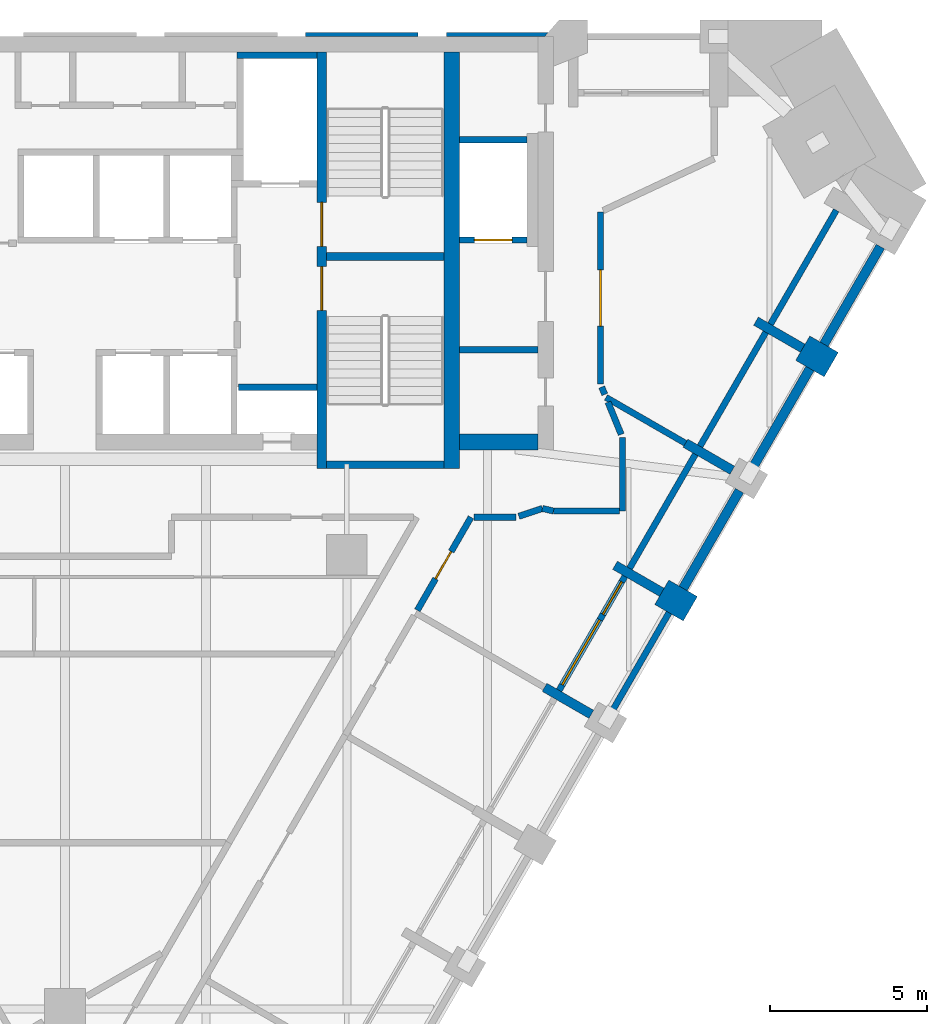
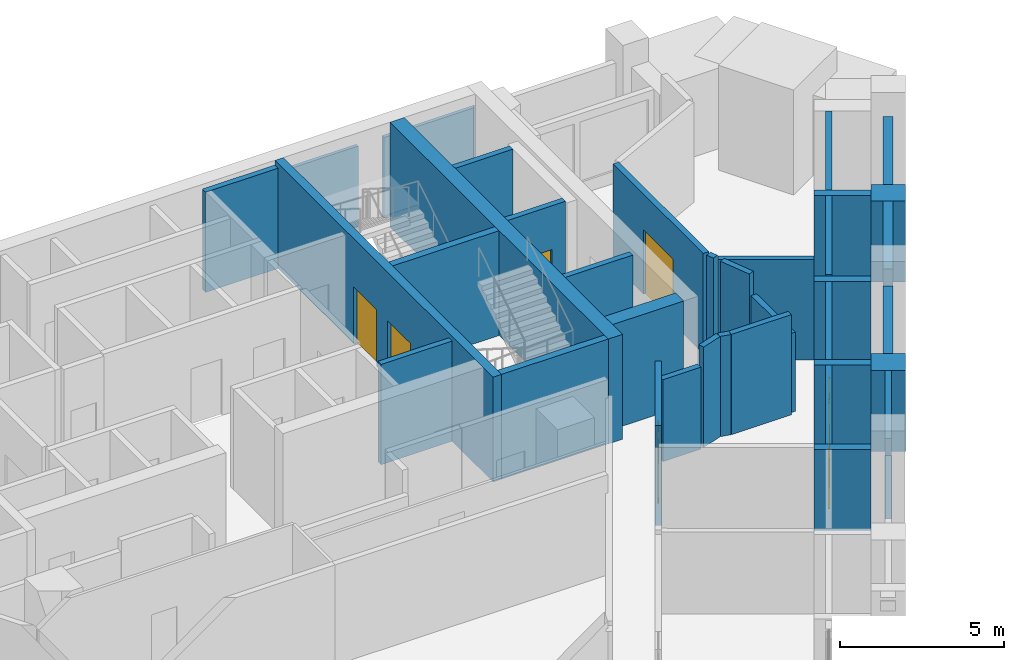
# One storey, part 7 of 10: 36 walls, 6 doors, 1 window, 7 openings.
"""IFC4 building model written with IfcOpenShell, lengths in metres."""

from ifc_helpers import new_model, si_unit, direction, frame, frame_2d, origin, place, context, subcontext, project, spatial, polyline, rectangle, outline, extrude, material, layer, layer_set, type_object, element, fill, save


model = new_model("IFC4")

# Units and contexts
model_context = context("Model", 3, precision=1e-05, world=origin(), true_north=direction((0.0, 1.0)))
body_context = subcontext(model_context, "Body", "Model", "MODEL_VIEW")
ifc_project = project(units=[si_unit("LENGTHUNIT", "METRE"), si_unit("AREAUNIT", "SQUARE_METRE"), si_unit("VOLUMEUNIT", "CUBIC_METRE"), si_unit("PLANEANGLEUNIT", "RADIAN"), si_unit("MASSUNIT", "GRAM", prefix="KILO")], contexts=[model_context])

# Site, building, storey
site_placement = place(None, origin())
site = spatial("IfcSite", under=ifc_project, at=site_placement, CompositionType="ELEMENT")
building_placement = place(site_placement, origin())
building = spatial("IfcBuilding", under=site, at=building_placement, Name="Calabash Gate Tower", CompositionType="ELEMENT")
storey_placement = place(building_placement, frame((0.0, 0.0, 175.800048828125)))
storey = spatial("IfcBuildingStorey", under=building, at=storey_placement, Name="L41", CompositionType="ELEMENT", Elevation=175.800048828125)

# Walls
ifc_material_1 = material(Name="Terracotta brick masonry, exposed face", Category="masonry")
ifc_layer_1 = layer(ifc_material_1, 1.050048828125)
ifc_layer_set_1 = layer_set([ifc_layer_1], Name="Brick end wall 1050")
wall_type_1 = type_object("IfcWallType", Name="Brick end wall 1050", PredefinedType="SOLIDWALL", material=ifc_layer_set_1)
wall_1_placement = place(storey_placement, frame((19.058349609375, 1.30419921875, 0.0), z_axis=(0.0, 0.0, 1.0), x_axis=(0.866030680601, -0.499990860175, 0.0)))
element("IfcWall", 1, at=wall_1_placement, inside=storey, type_object=wall_type_1, Name="Brick pier S11 SE4.5", PredefinedType="SOLIDWALL", context=body_context, shape_type="SweptSolid", body=[
    extrude(rectangle(XDim=1.0498046875, YDim=0.89990234375, at=frame_2d((0.52490234375, 0.0))), origin(), (0.0, 0.0, 1.0), 3.0),
])
wall_2_placement = place(storey_placement, frame((24.467529296875, 8.573486328125, 0.0), z_axis=(0.0, 0.0, 1.0), x_axis=(-0.86592997719, 0.500165247297, 0.0)))
element("IfcWall", 2, at=wall_2_placement, inside=storey, type_object=wall_type_1, Name="Brick pier S11 SE4.7", PredefinedType="SOLIDWALL", context=body_context, shape_type="SweptSolid", body=[
    extrude(rectangle(XDim=1.050048828125, YDim=0.89990234375, at=frame_2d((0.52490234375, 0.0))), origin(), (0.0, 0.0, 1.0), 3.0),
])
ifc_material_2 = material(Name="Terracotta brick masonry, exposed face", Category="masonry")
ifc_layer_2 = layer(ifc_material_2, 0.300048828125)
ifc_layer_set_2 = layer_set([ifc_layer_2], Name="Brick infill panel wall 300")
wall_type_2 = type_object("IfcWallType", Name="Brick infill panel wall 300", PredefinedType="SOLIDWALL", material=ifc_layer_set_2)
wall_3_placement = place(storey_placement, frame((19.738037109375, 1.431396484375, 0.0), z_axis=(0.0, 0.0, 1.0), x_axis=(0.499982693035, 0.866035395735, 0.0)))
element("IfcWall", 3, at=wall_3_placement, inside=storey, type_object=wall_type_2, Name="Brick panel S11 SE4.6", PredefinedType="SOLIDWALL", context=body_context, shape_type="SweptSolid", body=[
    extrude(rectangle(XDim=3.600341796875, YDim=0.300048828125, at=frame_2d((1.80029296875, 0.0))), origin(), (0.0, 0.0, 1.0), 3.0),
])
for number, where, z_axis, x_axis, name in (
    (4, (21.988037109375, 5.32861328125, 0.0), (0.0, 0.0, 1.0), (0.500012057535, 0.866018442252, 0.0), "Brick panel S11 SE4.7"),
    (5, (24.238037109375, 9.225830078125, 0.0), (0.0, 0.0, 1.0), (0.500012057535, 0.866018442252, 0.0), "Brick panel S11 SE4.8"),
):
    element("IfcWall", number, at=place(storey_placement, frame(where, z_axis=z_axis, x_axis=x_axis)), inside=storey, type_object=wall_type_2, Name=name, PredefinedType="SOLIDWALL", context=body_context, shape_type="SweptSolid", body=[
        extrude(rectangle(XDim=3.60009765625, YDim=0.300048828125, at=frame_2d((1.800048828125, 0.0))), origin(), (0.0, 0.0, 1.0), 3.0),
    ])
ifc_material_3 = material(Name="Terracotta brick masonry, exposed face", Category="masonry")
ifc_layer_3 = layer(ifc_material_3, 0.300048828125)
ifc_layer_set_3 = layer_set([ifc_layer_3], Name="Brick loggia cheek wall 300")
wall_type_3 = type_object("IfcWallType", Name="Brick loggia cheek wall 300", PredefinedType="SOLIDWALL", material=ifc_layer_set_3)
wall_4_placement = place(storey_placement, frame((16.807373046875, -2.59228515625, 0.0), z_axis=(0.0, 0.0, 1.0), x_axis=(-0.865994550583, 0.500053435504, 0.0)))
element("IfcWall", 6, at=wall_4_placement, inside=storey, type_object=wall_type_3, Name="Loggia cheek S11 SE4.4", PredefinedType="SOLIDWALL", context=body_context, shape_type="SweptSolid", body=[
    extrude(rectangle(XDim=1.723876953125, YDim=0.300048828125, at=frame_2d((0.86181640625, 0.0))), origin(), (0.0, 0.0, 1.0), 3.0),
])
wall_5_placement = place(storey_placement, frame((19.058349609375, 1.30419921875, 0.0), z_axis=(0.0, 0.0, 1.0), x_axis=(-0.866013532718, 0.500020560727, 0.0)))
element("IfcWall", 7, at=wall_5_placement, inside=storey, type_object=wall_type_3, Name="Loggia cheek S11 SE4.5", PredefinedType="SOLIDWALL", context=body_context, shape_type="SweptSolid", body=[
    extrude(rectangle(XDim=1.72509765625, YDim=0.300048828125, at=frame_2d((0.862548828125, 0.0))), origin(), (0.0, 0.0, 1.0), 3.0),
])
wall_6_placement = place(storey_placement, frame((19.814453125, 6.06396484375, 0.0), z_axis=(0.0, 0.0, 1.0), x_axis=(0.866013532718, -0.500020560727, 0.0)))
element("IfcWall", 8, at=wall_6_placement, inside=storey, type_object=wall_type_3, Name="Loggia cheek S11 SE4.6", PredefinedType="SOLIDWALL", context=body_context, shape_type="SweptSolid", body=[
    extrude(rectangle(XDim=1.72509765625, YDim=0.300048828125, at=frame_2d((0.862548828125, 0.0))), origin(), (0.0, 0.0, 1.0), 2.949951171875),
])
wall_7_placement = place(storey_placement, frame((23.558349609375, 9.0986328125, 0.0), z_axis=(0.0, 0.0, 1.0), x_axis=(-0.866074815912, 0.499914405916, 0.0)))
element("IfcWall", 9, at=wall_7_placement, inside=storey, type_object=wall_type_3, Name="Loggia cheek S11 SE4.7", PredefinedType="SOLIDWALL", context=body_context, shape_type="SweptSolid", body=[
    extrude(rectangle(XDim=1.724853515625, YDim=0.300048828125, at=frame_2d((0.8623046875, 0.0))), origin(), (0.0, 0.0, 1.0), 3.0),
])
ifc_material_4 = material(Name="Gypsum board on steel studs, mineral wool", Category="steel")
ifc_layer_4 = layer(ifc_material_4, 0.199951171875)
ifc_layer_set_4 = layer_set([ifc_layer_4], Name="Core partition 200 gypsum board")
wall_type_4 = type_object("IfcWallType", Name="Core partition 200 gypsum board", PredefinedType="PARTITIONING", material=ifc_layer_set_4)
wall_8_placement = place(storey_placement, frame((12.60009765625, 9.052490234375, 0.0), z_axis=(0.0, 0.0, 1.0), x_axis=(1.0, 0.0, 0.0)))
element("IfcWall", 10, at=wall_8_placement, inside=storey, type_object=wall_type_4, Name="Core partition", PredefinedType="PARTITIONING", context=body_context, shape_type="SweptSolid", body=[
    extrude(rectangle(XDim=2.5, YDim=0.199951171875, at=frame_2d((1.25, 0.0))), origin(), (0.0, 0.0, 1.0), 3.72998046875),
])
ifc_material_5 = material(Name="Concrete C70/85", Category="concrete")
ifc_layer_5 = layer(ifc_material_5, 0.25)
ifc_layer_set_5 = layer_set([ifc_layer_5], Name="Core wall 250 Concrete C70/85")
wall_type_5 = type_object("IfcWallType", Name="Core wall 250 Concrete C70/85", PredefinedType="SHEAR", material=ifc_layer_set_5)
for number, where, z_axis, x_axis, name in (
    (11, (8.35009765625, 12.027587890625, 0.0), (0.0, 0.0, 1.0), (1.0, 0.0, 0.0), "Core wall Z3-MIDE L41"),
    (12, (8.35009765625, 5.377685546875, 0.0), (0.0, 0.0, 1.0), (1.0, 0.0, 0.0), "Core wall Z3-SSE L41"),
):
    element("IfcWall", number, at=place(storey_placement, frame(where, z_axis=z_axis, x_axis=x_axis)), inside=storey, type_object=wall_type_5, Name=name, PredefinedType="SHEAR", context=body_context, shape_type="SweptSolid", body=[
        extrude(rectangle(XDim=3.75, YDim=0.25, at=frame_2d((1.875, 0.0))), origin(), (0.0, 0.0, 1.0), 3.89990234375),
    ])

# Wall, openings, doors
ifc_material_6 = material(Name="Concrete C70/85", Category="concrete")
ifc_layer_6 = layer(ifc_material_6, 0.300048828125)
ifc_layer_set_6 = layer_set([ifc_layer_6], Name="Core wall 300 Concrete C70/85")
wall_type_6 = type_object("IfcWallType", Name="Core wall 300 Concrete C70/85", PredefinedType="SHEAR", material=ifc_layer_set_6)
wall_9_placement = place(storey_placement, frame((8.199951171875, 5.252685546875, 0.0), z_axis=(0.0, 0.0, 1.0), x_axis=(0.0, 1.0, 0.0)))
wall_9 = element("IfcWall", 13, at=wall_9_placement, inside=storey, type_object=wall_type_6, Name="Core wall Z3-PARTE L41", PredefinedType="SHEAR", context=body_context, shape_type="SweptSolid", body=[
    extrude(rectangle(XDim=13.2998046875, YDim=0.300048828125, at=frame_2d((6.64990234375, 0.0))), origin(), (0.0, 0.0, 1.0), 3.89990234375),
])
opening_1_placement = place(wall_9_placement, frame((7.10009765625, 0.0, 0.0)))
opening_1 = element("IfcOpeningElement", 14, at=opening_1_placement, cuts=wall_9, Name="Opening O3-019", PredefinedType="OPENING", context=body_context, shape_type="SweptSolid", body=[
    extrude(rectangle(XDim=1.39990234375, YDim=2.10009765625, at=frame_2d((0.699951171875, 1.050048828125))), frame((0.0, 0.159912109375, 0.0), z_axis=(0.0, -1.0, 0.0), x_axis=(1.0, 0.0, 0.0)), (0.0, 0.0, 1.0), 0.320068359375),
])
opening_2_placement = place(wall_9_placement, frame((5.050048828125, 0.0, 0.0)))
opening_2 = element("IfcOpeningElement", 15, at=opening_2_placement, cuts=wall_9, Name="Opening O3-020", PredefinedType="OPENING", context=body_context, shape_type="SweptSolid", body=[
    extrude(rectangle(XDim=1.39990234375, YDim=2.10009765625, at=frame_2d((0.699951171875, 1.050048828125))), frame((0.0, 0.159912109375, 0.0), z_axis=(0.0, -1.0, 0.0), x_axis=(1.0, 0.0, 0.0)), (0.0, 0.0, 1.0), 0.320068359375),
])
ifc_material_7 = material(Name="Steel fire door set with fire-resisting glazing", Category="steel")
door_type_1 = type_object("IfcDoorType", Name="Fire door D05 1400x2100 FD90", OperationType="NOTDEFINED", PredefinedType="DOOR", material=ifc_material_7)
door_1_placement = place(opening_1_placement, origin())
door_1 = element("IfcDoor", 16, at=door_1_placement, inside=storey, type_object=door_type_1, Name="Exit stair door ST3", OperationType="SINGLE_SWING_RIGHT", OverallHeight=2.10009765625, OverallWidth=1.39990234375, PredefinedType="DOOR", context=body_context, shape_type="SweptSolid", body=[
    extrude(rectangle(XDim=1.39990234375, YDim=2.10009765625, at=frame_2d((0.699951171875, 1.050048828125))), frame((0.0, 0.02490234375, 0.0), z_axis=(0.0, -1.0, 0.0), x_axis=(1.0, 0.0, 0.0)), (0.0, 0.0, 1.0), 0.050048828125),
])
fill(opening_1, door_1)
door_2_placement = place(opening_2_placement, origin())
door_2 = element("IfcDoor", 17, at=door_2_placement, inside=storey, type_object=door_type_1, Name="Exit stair door ST4", OperationType="SINGLE_SWING_LEFT", OverallHeight=2.10009765625, OverallWidth=1.39990234375, PredefinedType="DOOR", context=body_context, shape_type="SweptSolid", body=[
    extrude(rectangle(XDim=1.39990234375, YDim=2.10009765625, at=frame_2d((0.699951171875, 1.050048828125))), frame((0.0, 0.02490234375, 0.0), z_axis=(0.0, -1.0, 0.0), x_axis=(1.0, 0.0, 0.0)), (0.0, 0.0, 1.0), 0.050048828125),
])
fill(opening_2, door_2)

# Walls
ifc_material_8 = material(Name="Concrete C70/85", Category="concrete")
ifc_layer_7 = layer(ifc_material_8, 0.5)
ifc_layer_set_7 = layer_set([ifc_layer_7], Name="Core wall 500 Concrete C70/85")
wall_type_7 = type_object("IfcWallType", Name="Core wall 500 Concrete C70/85", PredefinedType="SHEAR", material=ifc_layer_set_7)
wall_10_placement = place(storey_placement, frame((12.35009765625, 5.252685546875, 0.0), z_axis=(0.0, 0.0, 1.0), x_axis=(0.0, 1.0, 0.0)))
element("IfcWall", 18, at=wall_10_placement, inside=storey, type_object=wall_type_7, Name="Core wall Z3-COLE L41", PredefinedType="SHEAR", context=body_context, shape_type="SweptSolid", body=[
    extrude(rectangle(XDim=13.2998046875, YDim=0.5, at=frame_2d((6.64990234375, 0.0))), origin(), (0.0, 0.0, 1.0), 3.89990234375),
])
wall_11_placement = place(storey_placement, frame((12.60009765625, 6.1025390625, 0.0), z_axis=(0.0, 0.0, 1.0), x_axis=(1.0, 0.0, 0.0)))
element("IfcWall", 19, at=wall_11_placement, inside=storey, type_object=wall_type_7, Name="Core wall Z3-SE L41", PredefinedType="SHEAR", context=body_context, shape_type="SweptSolid", body=[
    extrude(rectangle(XDim=2.5, YDim=0.5, at=frame_2d((1.25, 0.0))), origin(), (0.0, 0.0, 1.0), 3.89990234375),
])

# Wall, opening, door
ifc_material_9 = material(Name="Gypsum board on steel studs, mineral wool", Category="steel")
ifc_layer_8 = layer(ifc_material_9, 0.199951171875)
ifc_layer_set_8 = layer_set([ifc_layer_8], Name="Partition 200 gypsum board EI 60")
wall_type_8 = type_object("IfcWallType", Name="Partition 200 gypsum board EI 60", PredefinedType="PARTITIONING", material=ifc_layer_set_8)
wall_12_placement = place(storey_placement, frame((11.252685546875, 0.730712890625, 0.0), z_axis=(0.0, 0.0, 1.0), x_axis=(0.499648448578, 0.866228276976, 0.0)))
wall_12 = element("IfcWall", 20, at=wall_12_placement, inside=storey, type_object=wall_type_8, Name="Partition", PredefinedType="PARTITIONING", context=body_context, shape_type="SweptSolid", body=[
    extrude(rectangle(XDim=3.42724609375, YDim=0.199951171875, at=frame_2d((1.713623046875, 0.0))), origin(), (0.0, 0.0, 1.0), 3.72998046875),
])
opening_3_placement = place(wall_12_placement, frame((1.163818359375, 0.0, 0.0)))
opening_3 = element("IfcOpeningElement", 21, at=opening_3_placement, cuts=wall_12, Name="Opening 39-41-012", PredefinedType="OPENING", context=body_context, shape_type="SweptSolid", body=[
    extrude(rectangle(XDim=1.0, YDim=2.39990234375, at=frame_2d((0.5, 1.199951171875))), frame((0.0, 0.10986328125, 0.0), z_axis=(0.0, -1.0, 0.0), x_axis=(1.0, 0.0, 0.0)), (0.0, 0.0, 1.0), 0.219970703125),
])
ifc_material_10 = material(Name="Painted timber door", Category="wood")
door_type_2 = type_object("IfcDoorType", Name="OD2 Glazed office door 1000x2400", OperationType="NOTDEFINED", PredefinedType="DOOR", material=ifc_material_10)
door_3_placement = place(opening_3_placement, origin())
door_3 = element("IfcDoor", 22, at=door_3_placement, inside=storey, type_object=door_type_2, Name="Glazed office door", OperationType="SINGLE_SWING_RIGHT", OverallHeight=2.39990234375, OverallWidth=1.0, PredefinedType="DOOR", context=body_context, shape_type="SweptSolid", body=[
    extrude(rectangle(XDim=1.0, YDim=2.39990234375, at=frame_2d((0.5, 1.199951171875))), frame((0.0, 0.02490234375, 0.0), z_axis=(0.0, -1.0, 0.0), x_axis=(1.0, 0.0, 0.0)), (0.0, 0.0, 1.0), 0.050048828125),
])
fill(opening_3, door_3)

# Walls
wall_13_placement = place(storey_placement, frame((13.065185546875, 3.699462890625, 0.0), z_axis=(0.0, 0.0, 1.0), x_axis=(1.0, 0.0, 0.0)))
element("IfcWall", 23, at=wall_13_placement, inside=storey, type_object=wall_type_8, Name="Partition", PredefinedType="PARTITIONING", context=body_context, shape_type="SweptSolid", body=[
    extrude(rectangle(XDim=1.3349609375, YDim=0.199951171875, at=frame_2d((0.66748046875, 0.0))), origin(), (0.0, 0.0, 1.0), 3.0517578125),
])
wall_14_placement = place(storey_placement, frame((15.24560546875, 3.9814453125, 0.0), z_axis=(0.0, 0.0, 1.0), x_axis=(0.974255315496, -0.225447511024, 0.0)))
element("IfcWall", 24, at=wall_14_placement, inside=storey, type_object=wall_type_8, Name="Partition", PredefinedType="PARTITIONING", context=body_context, shape_type="SweptSolid", body=[
    extrude(rectangle(XDim=0.36376953125, YDim=0.199951171875, at=frame_2d((0.181884765625, 0.0))), origin(), (0.0, 0.0, 1.0), 3.72998046875),
])
wall_15_placement = place(storey_placement, frame((15.60009765625, 3.8994140625, 0.0), z_axis=(0.0, 0.0, 1.0), x_axis=(0.999999993243, 0.000116252034, 0.0)))
element("IfcWall", 25, at=wall_15_placement, inside=storey, type_object=wall_type_8, Name="Partition", PredefinedType="PARTITIONING", context=body_context, shape_type="SweptSolid", body=[
    extrude(rectangle(XDim=2.10009765625, YDim=0.199951171875, at=frame_2d((1.050048828125, 0.0))), origin(), (0.0, 0.0, 1.0), 3.72998046875),
])
wall_16_placement = place(storey_placement, frame((14.494873046875, 3.731201171875, 0.0), z_axis=(0.0, 0.0, 1.0), x_axis=(0.948683298051, 0.316227766017, 0.0)))
element("IfcWall", 26, at=wall_16_placement, inside=storey, type_object=wall_type_8, Name="Partition", PredefinedType="PARTITIONING", context=body_context, shape_type="SweptSolid", body=[
    extrude(rectangle(XDim=0.791259765625, YDim=0.199951171875, at=frame_2d((0.3955078125, 0.0))), origin(), (0.0, 0.0, 1.0), 3.72998046875),
])
wall_17_placement = place(storey_placement, frame((17.275634765625, 7.52734375, 0.0), z_axis=(0.0, 0.0, 1.0), x_axis=(0.866324259283, -0.499482009464, 0.0)))
element("IfcWall", 27, at=wall_17_placement, inside=storey, type_object=wall_type_8, Name="Partition", PredefinedType="PARTITIONING", context=body_context, shape_type="SweptSolid", body=[
    extrude(rectangle(XDim=2.93017578125, YDim=0.199951171875, at=frame_2d((1.465087890625, 0.0))), origin(), (0.0, 0.0, 1.0), 3.72998046875),
])
wall_18_placement = place(storey_placement, frame((17.80029296875, 3.899658203125, 0.0), z_axis=(0.0, 0.0, 1.0), x_axis=(0.000103755965, 0.999999994617, 0.0)))
element("IfcWall", 28, at=wall_18_placement, inside=storey, type_object=wall_type_8, Name="Partition", PredefinedType="PARTITIONING", context=body_context, shape_type="SweptSolid", body=[
    extrude(rectangle(XDim=2.35302734375, YDim=0.199951171875, at=frame_2d((1.176513671875, 0.0))), origin(), (0.0, 0.0, 1.0), 2.949951171875),
])
wall_19_placement = place(storey_placement, frame((17.33984375, 7.375, 0.0), z_axis=(0.0, 0.0, 1.0), x_axis=(0.379657440063, -0.925127141643, 0.0)))
element("IfcWall", 29, at=wall_19_placement, inside=storey, type_object=wall_type_8, Name="Partition", PredefinedType="PARTITIONING", context=body_context, shape_type="SweptSolid", body=[
    extrude(rectangle(XDim=1.113037109375, YDim=0.199951171875, at=frame_2d((0.556640625, 0.0))), origin(), (0.0, 0.0, 1.0), 3.72998046875),
])
wall_20_placement = place(storey_placement, frame((17.138916015625, 7.8603515625, 0.0), z_axis=(0.0, 0.0, 1.0), x_axis=(0.383408069738, -0.923579044836, 0.0)))
element("IfcWall", 30, at=wall_20_placement, inside=storey, type_object=wall_type_8, Name="Partition", PredefinedType="PARTITIONING", context=body_context, shape_type="SweptSolid", body=[
    extrude(rectangle(XDim=0.258544921875, YDim=0.199951171875, at=frame_2d((0.12939453125, 0.0))), origin(), (0.0, 0.0, 1.0), 3.72998046875),
])

# Wall, opening, door
wall_21_placement = place(storey_placement, frame((17.1005859375, 7.95263671875, 0.0), z_axis=(0.0, 0.0, 1.0), x_axis=(0.0, 1.0, 0.0)))
wall_21 = element("IfcWall", 31, at=wall_21_placement, inside=storey, type_object=wall_type_8, Name="Partition", PredefinedType="PARTITIONING", context=body_context, shape_type="SweptSolid", body=[
    extrude(rectangle(XDim=5.49951171875, YDim=0.199951171875, at=frame_2d((2.749755859375, 0.0))), origin(), (0.0, 0.0, 1.0), 3.72998046875),
])
opening_4_placement = place(wall_21_placement, frame((1.849609375, 0.0, 0.0)))
opening_4 = element("IfcOpeningElement", 32, at=opening_4_placement, cuts=wall_21, Name="Opening 39-41-011", PredefinedType="OPENING", context=body_context, shape_type="SweptSolid", body=[
    extrude(rectangle(XDim=1.800048828125, YDim=2.39990234375, at=frame_2d((0.89990234375, 1.199951171875))), frame((0.0, 0.10986328125, 0.0), z_axis=(0.0, -1.0, 0.0), x_axis=(1.0, 0.0, 0.0)), (0.0, 0.0, 1.0), 0.219970703125),
])
ifc_material_11 = material(Name="Steel fire door set with fire-resisting glazing", Category="steel")
door_type_3 = type_object("IfcDoorType", Name="OD5 Open office double door 1800x2400", OperationType="NOTDEFINED", PredefinedType="DOOR", material=ifc_material_11)
door_4_placement = place(opening_4_placement, origin())
door_4 = element("IfcDoor", 33, at=door_4_placement, inside=storey, type_object=door_type_3, Name="Open office double door", OperationType="DOUBLE_DOOR_SINGLE_SWING", OverallHeight=2.39990234375, OverallWidth=1.800048828125, PredefinedType="DOOR", context=body_context, shape_type="SweptSolid", body=[
    extrude(rectangle(XDim=1.800048828125, YDim=2.39990234375, at=frame_2d((0.89990234375, 1.199951171875))), frame((0.0, 0.02490234375, 0.0), z_axis=(0.0, -1.0, 0.0), x_axis=(1.0, 0.0, 0.0)), (0.0, 0.0, 1.0), 0.050048828125),
])
fill(opening_4, door_4)

# Wall
ifc_material_12 = material(Name="Concrete C40/50", Category="concrete")
ifc_layer_9 = layer(ifc_material_12, 0.199951171875)
ifc_layer_set_9 = layer_set([ifc_layer_9], Name="Shaft wall 200 Concrete C40/50")
wall_type_9 = type_object("IfcWallType", Name="Shaft wall 200 Concrete C40/50", PredefinedType="SOLIDWALL", material=ifc_layer_set_9)
wall_22_placement = place(storey_placement, frame((5.550048828125, 7.8525390625, 0.0), z_axis=(0.0, 0.0, 1.0), x_axis=(1.0, 0.0, 0.0)))
element("IfcWall", 34, at=wall_22_placement, inside=storey, type_object=wall_type_9, Name="Shaft wall", PredefinedType="SOLIDWALL", context=body_context, shape_type="SweptSolid", body=[
    extrude(rectangle(XDim=2.5, YDim=0.199951171875, at=frame_2d((1.25, 0.0))), origin(), (0.0, 0.0, 1.0), 3.72998046875),
])

# Wall, opening, door
wall_23_placement = place(storey_placement, frame((12.60009765625, 12.552490234375, 0.0), z_axis=(0.0, 0.0, 1.0), x_axis=(1.0, 0.0, 0.0)))
wall_23 = element("IfcWall", 35, at=wall_23_placement, inside=storey, type_object=wall_type_9, Name="Shaft wall", PredefinedType="SOLIDWALL", context=body_context, shape_type="SweptSolid", body=[
    extrude(rectangle(XDim=2.14990234375, YDim=0.199951171875, at=frame_2d((1.074951171875, 0.0))), origin(), (0.0, 0.0, 1.0), 3.72998046875),
])
opening_5_placement = place(wall_23_placement, frame((0.47509765625, 0.0, 0.0)))
opening_5 = element("IfcOpeningElement", 36, at=opening_5_placement, cuts=wall_23, Name="Opening LD-SL1", PredefinedType="OPENING", context=body_context, shape_type="SweptSolid", body=[
    extrude(rectangle(XDim=1.199951171875, YDim=2.10009765625, at=frame_2d((0.60009765625, 1.050048828125))), frame((0.0, 0.10986328125, 0.0), z_axis=(0.0, -1.0, 0.0), x_axis=(1.0, 0.0, 0.0)), (0.0, 0.0, 1.0), 0.219970703125),
])
ifc_material_13 = material(Name="Stainless steel sliding door leaves", Category="steel")
door_type_4 = type_object("IfcDoorType", Name="Lift landing door LS3 1200x2100 FD90", OperationType="DOUBLE_DOOR_SLIDING", PredefinedType="DOOR", material=ifc_material_13)
door_5_placement = place(opening_5_placement, origin())
door_5 = element("IfcDoor", 37, at=door_5_placement, inside=storey, type_object=door_type_4, Name="Lift landing door SL1", OperationType="DOUBLE_DOOR_SLIDING", OverallHeight=2.10009765625, OverallWidth=1.199951171875, PredefinedType="DOOR", context=body_context, shape_type="SweptSolid", body=[
    extrude(rectangle(XDim=1.199951171875, YDim=2.10009765625, at=frame_2d((0.60009765625, 1.050048828125))), frame((0.0, 0.02490234375, 0.0), z_axis=(0.0, -1.0, 0.0), x_axis=(1.0, 0.0, 0.0)), (0.0, 0.0, 1.0), 0.050048828125),
])
fill(opening_5, door_5)

# Walls
wall_24_placement = place(storey_placement, frame((12.60009765625, 15.752685546875, 0.0), z_axis=(0.0, 0.0, 1.0), x_axis=(1.0, 0.0, 0.0)))
element("IfcWall", 38, at=wall_24_placement, inside=storey, type_object=wall_type_9, Name="Shaft wall", PredefinedType="SOLIDWALL", context=body_context, shape_type="SweptSolid", body=[
    extrude(rectangle(XDim=2.14990234375, YDim=0.199951171875, at=frame_2d((1.074951171875, 0.0))), origin(), (0.0, 0.0, 1.0), 3.72998046875),
])
wall_25_placement = place(storey_placement, frame((5.5, 18.45263671875, 0.0), z_axis=(0.0, 0.0, 1.0), x_axis=(1.0, 0.0, 0.0)))
element("IfcWall", 39, at=wall_25_placement, inside=storey, type_object=wall_type_9, Name="Shaft wall", PredefinedType="SOLIDWALL", context=body_context, shape_type="SweptSolid", body=[
    extrude(rectangle(XDim=2.550048828125, YDim=0.199951171875, at=frame_2d((1.27490234375, 0.0))), origin(), (0.0, 0.0, 1.0), 3.72998046875),
])
ifc_material_14 = material(Name="Terracotta brick masonry, perforated", Category="masonry")
ifc_layer_10 = layer(ifc_material_14, 0.1201171875)
ifc_layer_set_10 = layer_set([ifc_layer_10], Name="Terracotta jaali cladding A 120")
wall_type_10 = type_object("IfcWallType", Name="Terracotta jaali cladding A 120", PredefinedType="SOLIDWALL", material=ifc_layer_set_10)
wall_26_placement = place(storey_placement, origin())
element("IfcWall", 40, at=wall_26_placement, inside=storey, type_object=wall_type_10, Name="Jaali cladding S11 N6.3", PredefinedType="SOLIDWALL", context=body_context, shape_type="SweptSolid", body=[
    extrude(outline(polyline([(7.6796875, 19.172607421875), (7.6796875, 19.052490234375), (11.279541015625, 19.052490234375), (11.279541015625, 19.172607421875), (7.6796875, 19.172607421875)])), origin(), (0.0, 0.0, 1.0), 3.0),
])
ifc_material_15 = material(Name="Terracotta brick masonry, perforated", Category="masonry")
ifc_layer_11 = layer(ifc_material_15, 0.199951171875)
ifc_layer_set_11 = layer_set([ifc_layer_11], Name="Terracotta jaali screen A")
wall_type_11 = type_object("IfcWallType", Name="Terracotta jaali screen A", PredefinedType="SOLIDWALL", material=ifc_layer_set_11)
wall_27_placement = place(storey_placement, origin())
element("IfcWall", 41, at=wall_27_placement, inside=storey, type_object=wall_type_11, Name="SCREEN A S11 SE4.5", PredefinedType="SOLIDWALL", context=body_context, shape_type="SweptSolid", body=[
    extrude(outline(polyline([(19.201416015625, 0.7021484375), (17.40234375, -2.413818359375), (17.57568359375, -2.513916015625), (19.37451171875, 0.60205078125), (19.201416015625, 0.7021484375)])), origin(), (0.0, 0.0, 1.0), 3.0),
])
ifc_material_16 = material(Name="Terracotta louvre blades in an aluminium frame", Category="masonry")
ifc_layer_12 = layer(ifc_material_16, 0.1201171875)
ifc_layer_set_12 = layer_set([ifc_layer_12], Name="Terracotta vent louvre cladding 120")
wall_type_12 = type_object("IfcWallType", Name="Terracotta vent louvre cladding 120", PredefinedType="ELEMENTEDWALL", material=ifc_layer_set_12)
wall_28_placement = place(storey_placement, origin())
element("IfcWall", 42, at=wall_28_placement, inside=storey, type_object=wall_type_12, Name="Vent louvre cladding S11 N6.2", PredefinedType="ELEMENTEDWALL", context=body_context, shape_type="SweptSolid", body=[
    extrude(outline(polyline([(12.1796875, 19.172607421875), (12.1796875, 19.052490234375), (15.319091796875, 19.052490234375), (15.424072265625, 19.172607421875), (12.1796875, 19.172607421875)])), origin(), (0.0, 0.0, 1.0), 3.0),
])

# Wall, openings, door, window
ifc_material_17 = material(Name="Aluminium framed window wall with insulated spandrel", Category="aluminium")
ifc_layer_13 = layer(ifc_material_17, 0.199951171875)
ifc_layer_set_13 = layer_set([ifc_layer_13], Name="Window wall 200")
wall_type_13 = type_object("IfcWallType", Name="Window wall 200", PredefinedType="ELEMENTEDWALL", material=ifc_layer_set_13)
wall_29_placement = place(storey_placement, frame((15.779052734375, -1.825439453125, 0.0), z_axis=(0.0, 0.0, 1.0), x_axis=(0.500002543286, 0.866023935413, 0.0)))
wall_29 = element("IfcWall", 43, at=wall_29_placement, inside=storey, type_object=wall_type_13, Name="Window wall S11 SE4.5", PredefinedType="ELEMENTEDWALL", context=body_context, shape_type="SweptSolid", body=[
    extrude(rectangle(XDim=4.2001953125, YDim=0.199951171875, at=frame_2d((2.10009765625, 0.0))), origin(), (0.0, 0.0, 1.0), 3.0),
])
opening_6_placement = place(wall_29_placement, frame((0.199951171875, 0.0, 0.449951171875)))
opening_6 = element("IfcOpeningElement", 44, at=opening_6_placement, cuts=wall_29, Name="Opening OW1", PredefinedType="OPENING", context=body_context, shape_type="SweptSolid", body=[
    extrude(rectangle(XDim=2.39990234375, YDim=2.25, at=frame_2d((1.199951171875, 1.125))), frame((0.0, 0.10986328125, 0.0), z_axis=(0.0, -1.0, 0.0), x_axis=(1.0, 0.0, 0.0)), (0.0, 0.0, 1.0), 0.219970703125),
])
opening_7_placement = place(wall_29_placement, frame((2.800048828125, 0.0, 0.0)))
opening_7 = element("IfcOpeningElement", 45, at=opening_7_placement, cuts=wall_29, Name="Opening O3-025", PredefinedType="OPENING", context=body_context, shape_type="SweptSolid", body=[
    extrude(rectangle(XDim=1.199951171875, YDim=2.699951171875, at=frame_2d((0.60009765625, 1.35009765625))), frame((0.0, 0.10986328125, 0.0), z_axis=(0.0, -1.0, 0.0), x_axis=(1.0, 0.0, 0.0)), (0.0, 0.0, 1.0), 0.219970703125),
])
ifc_material_18 = material(Name="Anodised aluminium frame, bronze finish, impact-rated laminated clear glazing", Category="aluminium")
door_type_5 = type_object("IfcDoorType", Name="Loggia door DO1 1200x2700", OperationType="SLIDING_TO_LEFT", PredefinedType="DOOR", material=ifc_material_18)
door_6_placement = place(opening_7_placement, origin())
door_6 = element("IfcDoor", 46, at=door_6_placement, inside=storey, type_object=door_type_5, Name="Loggia door S11 SE4.5", OperationType="SINGLE_SWING_LEFT", OverallHeight=2.699951171875, OverallWidth=1.199951171875, PredefinedType="DOOR", context=body_context, shape_type="SweptSolid", body=[
    extrude(rectangle(XDim=1.199951171875, YDim=2.699951171875, at=frame_2d((0.60009765625, 1.35009765625))), frame((0.0, 0.02490234375, 0.0), z_axis=(0.0, -1.0, 0.0), x_axis=(1.0, 0.0, 0.0)), (0.0, 0.0, 1.0), 0.050048828125),
])
fill(opening_7, door_6)
ifc_material_19 = material(Name="Anodised aluminium frame, bronze finish, impact-rated laminated clear glazing", Category="aluminium")
window_type = type_object("IfcWindowType", Name="Window OW1 2400x2250", PartitioningType="DOUBLE_PANEL_VERTICAL", PredefinedType="WINDOW", material=ifc_material_19)
window_placement = place(opening_6_placement, origin())
window = element("IfcWindow", 47, at=window_placement, inside=storey, type_object=window_type, Name="Window OW1 S11 SE4.5", OverallHeight=2.25, OverallWidth=2.39990234375, PartitioningType="SINGLE_PANEL", PredefinedType="WINDOW", context=body_context, shape_type="SweptSolid", body=[
    extrude(rectangle(XDim=2.39990234375, YDim=2.25, at=frame_2d((1.199951171875, 1.125))), frame((0.0, 0.030029296875, 0.0), z_axis=(0.0, -1.0, 0.0), x_axis=(1.0, 0.0, 0.0)), (0.0, 0.0, 1.0), 0.06005859375),
])
fill(opening_6, window)

# Walls
wall_30_placement = place(storey_placement, frame((18.029052734375, 2.07177734375, 0.0), z_axis=(0.0, 0.0, 1.0), x_axis=(0.500027713859, 0.866009402589, 0.0)))
element("IfcWall", 48, at=wall_30_placement, inside=storey, type_object=wall_type_13, Name="Window wall S11 SE4.6", PredefinedType="ELEMENTEDWALL", context=body_context, shape_type="SweptSolid", body=[
    extrude(rectangle(XDim=4.199951171875, YDim=0.199951171875, at=frame_2d((2.10009765625, 0.0))), origin(), (0.0, 0.0, 1.0), 2.949951171875),
])
wall_31_placement = place(storey_placement, frame((20.279052734375, 5.96875, 0.0), z_axis=(0.0, 0.0, 1.0), x_axis=(0.500002543286, 0.866023935413, 0.0)))
element("IfcWall", 49, at=wall_31_placement, inside=storey, type_object=wall_type_13, Name="Window wall S11 SE4.7", PredefinedType="ELEMENTEDWALL", context=body_context, shape_type="SweptSolid", body=[
    extrude(rectangle(XDim=4.2001953125, YDim=0.199951171875, at=frame_2d((2.10009765625, 0.0))), origin(), (0.0, 0.0, 1.0), 3.0),
])
wall_32_placement = place(storey_placement, frame((22.529052734375, 9.865966796875, 0.0), z_axis=(0.0, 0.0, 1.0), x_axis=(0.500027713859, 0.866009402589, 0.0)))
element("IfcWall", 50, at=wall_32_placement, inside=storey, type_object=wall_type_13, Name="Window wall S11 SE4.8", PredefinedType="ELEMENTEDWALL", context=body_context, shape_type="SweptSolid", body=[
    extrude(rectangle(XDim=4.199951171875, YDim=0.199951171875, at=frame_2d((2.10009765625, 0.0))), origin(), (0.0, 0.0, 1.0), 3.0),
])

save(model, "model.ifc")
